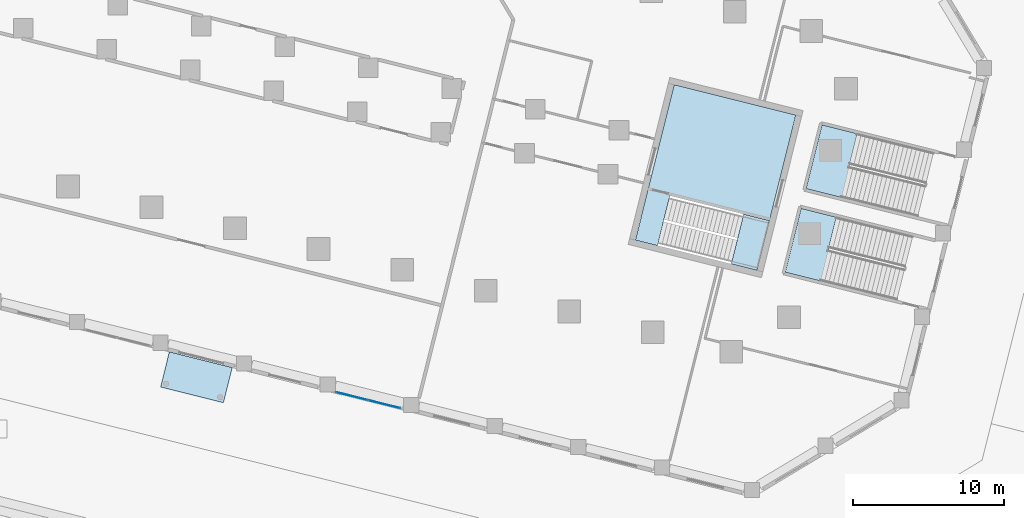
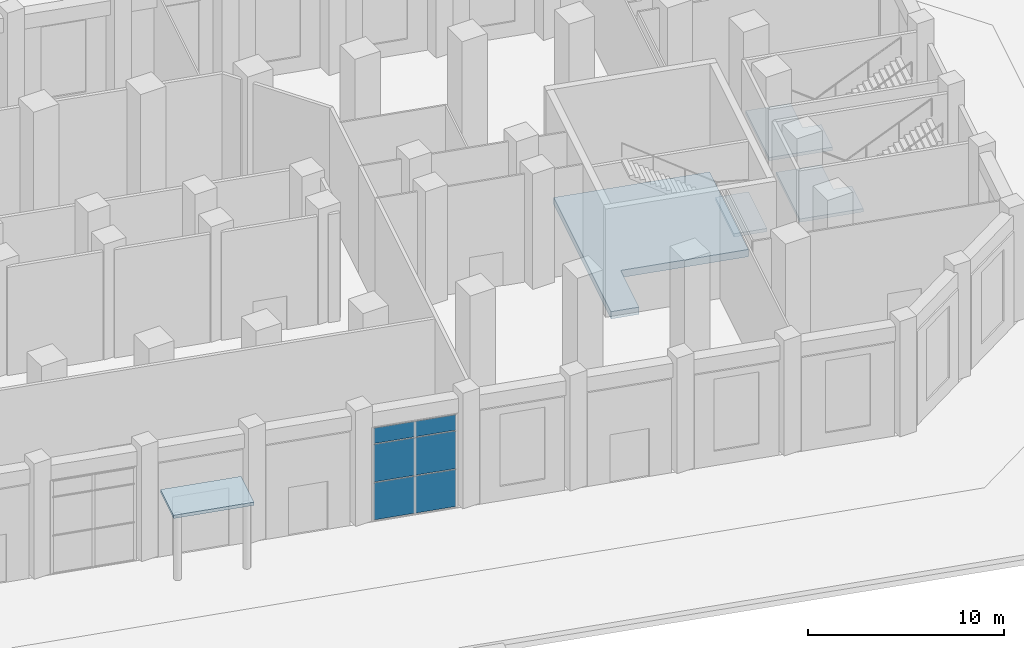
# One storey, part 9 of 27: 6 plates, 5 slabs, 4 elements without a shape of their own.
"""IFC4 building model written with IfcOpenShell, lengths in metres."""

from ifc_helpers import new_model, si_unit, direction, frame, origin, origin_2d, place, context, subcontext, project, spatial, polyline, rectangle, outline, extrude, material, layer, layer_set, type_object, element, aggregate, save


model = new_model("IFC4")

# Units and contexts
model_context = context("Model", 3, precision=1e-05, world=origin(), true_north=direction((0.0, 1.0)))
body_context = subcontext(model_context, "Body", "Model", "MODEL_VIEW")
ifc_project = project(units=[si_unit("LENGTHUNIT", "METRE"), si_unit("AREAUNIT", "SQUARE_METRE"), si_unit("VOLUMEUNIT", "CUBIC_METRE"), si_unit("PLANEANGLEUNIT", "RADIAN"), si_unit("MASSUNIT", "GRAM", prefix="KILO")], contexts=[model_context])

# Site, building, storey
site_placement = place(None, origin())
site = spatial("IfcSite", under=ifc_project, at=site_placement, CompositionType="ELEMENT")
building_placement = place(site_placement, origin())
building = spatial("IfcBuilding", under=site, at=building_placement, Name="Meshkara Civic Tower", CompositionType="ELEMENT")
storey_placement = place(building_placement, origin())
storey = spatial("IfcBuildingStorey", under=building, at=storey_placement, Name="L00", CompositionType="ELEMENT", Elevation=0.0)

# Curtain wall, plates
ifc_material_1 = material(Name="Tinted double glazing", Category="glass")
curtain_wall_type = type_object("IfcCurtainWallType", Name="CW SERVICE HALL FRONT", PredefinedType="NOTDEFINED", material=ifc_material_1)
curtain_wall_placement = place(storey_placement, origin())
curtain_wall = element("IfcCurtainWall", 1, at=curtain_wall_placement, inside=storey, type_object=curtain_wall_type, Name="Curtain wall CW1", PredefinedType="NOTDEFINED")
ifc_material_2 = material(Name="Tinted double glazing", Category="glass")
ifc_layer_1 = layer(ifc_material_2, 0.028076171875)
ifc_layer_set_1 = layer_set([ifc_layer_1], Name="CW PANEL IGU 28")
plate_type = type_object("IfcPlateType", Name="CW PANEL IGU 28", PredefinedType="CURTAIN_PANEL", material=ifc_layer_set_1)
plate_1_placement = place(storey_placement, frame((57.77392578125, -23.1337890625, 0.06005859375), z_axis=(0.0, 0.0, 1.0), x_axis=(0.970312718585, -0.241853732973, 0.0)))
plate_1 = element("IfcPlate", 2, at=plate_1_placement, type_object=plate_type, Name="CW1 panel 1.1", PredefinedType="CURTAIN_PANEL", context=body_context, shape_type="SweptSolid", body=[
    extrude(rectangle(XDim=2.153076171875, YDim=0.028076171875, at=origin_2d()), origin(), (0.0, 0.0, 1.0), 2.31005859375),
])
plate_2_placement = place(storey_placement, frame((57.77392578125, -23.1337890625, 2.43017578125), z_axis=(0.0, 0.0, 1.0), x_axis=(0.970312718585, -0.241853732973, 0.0)))
plate_2 = element("IfcPlate", 3, at=plate_2_placement, type_object=plate_type, Name="CW1 panel 1.2", PredefinedType="CURTAIN_PANEL", context=body_context, shape_type="SweptSolid", body=[
    extrude(rectangle(XDim=2.153076171875, YDim=0.028076171875, at=origin_2d()), origin(), (0.0, 0.0, 1.0), 2.340087890625),
])
plate_3_placement = place(storey_placement, frame((57.77392578125, -23.1337890625, 4.830078125), z_axis=(0.0, 0.0, 1.0), x_axis=(0.970312718585, -0.241853732973, 0.0)))
plate_3 = element("IfcPlate", 4, at=plate_3_placement, type_object=plate_type, Name="CW1 panel 1.3", PredefinedType="CURTAIN_PANEL", context=body_context, shape_type="SweptSolid", body=[
    extrude(rectangle(XDim=2.153076171875, YDim=0.028076171875, at=origin_2d()), origin(), (0.0, 0.0, 1.0), 0.9599609375),
])
plate_4_placement = place(storey_placement, frame((59.921142578125, -23.669189453125, 0.06005859375), z_axis=(0.0, 0.0, 1.0), x_axis=(0.970312718585, -0.241853732973, 0.0)))
plate_4 = element("IfcPlate", 5, at=plate_4_placement, type_object=plate_type, Name="CW1 panel 2.1", PredefinedType="CURTAIN_PANEL", context=body_context, shape_type="SweptSolid", body=[
    extrude(rectangle(XDim=2.153076171875, YDim=0.028076171875, at=origin_2d()), origin(), (0.0, 0.0, 1.0), 2.31005859375),
])
plate_5_placement = place(storey_placement, frame((59.921142578125, -23.669189453125, 2.43017578125), z_axis=(0.0, 0.0, 1.0), x_axis=(0.970312718585, -0.241853732973, 0.0)))
plate_5 = element("IfcPlate", 6, at=plate_5_placement, type_object=plate_type, Name="CW1 panel 2.2", PredefinedType="CURTAIN_PANEL", context=body_context, shape_type="SweptSolid", body=[
    extrude(rectangle(XDim=2.153076171875, YDim=0.028076171875, at=origin_2d()), origin(), (0.0, 0.0, 1.0), 2.340087890625),
])
plate_6_placement = place(storey_placement, frame((59.921142578125, -23.669189453125, 4.830078125), z_axis=(0.0, 0.0, 1.0), x_axis=(0.970312718585, -0.241853732973, 0.0)))
plate_6 = element("IfcPlate", 7, at=plate_6_placement, type_object=plate_type, Name="CW1 panel 2.3", PredefinedType="CURTAIN_PANEL", context=body_context, shape_type="SweptSolid", body=[
    extrude(rectangle(XDim=2.153076171875, YDim=0.028076171875, at=origin_2d()), origin(), (0.0, 0.0, 1.0), 0.9599609375),
])
aggregate(curtain_wall, [plate_1, plate_2, plate_3, plate_4, plate_5, plate_6])

# Slabs
ifc_material_3 = material(Name="Concrete C40/50", Category="concrete")
ifc_layer_2 = layer(ifc_material_3, 0.449951171875)
ifc_layer_set_2 = layer_set([ifc_layer_2], Name="Core floor slab 450 C40/50")
slab_type_1 = type_object("IfcSlabType", Name="Core floor slab 450 C40/50", PredefinedType="FLOOR", material=ifc_layer_set_2)
slab_1_placement = place(storey_placement, frame((0.0, 0.0, -0.449951171875)))
element("IfcSlab", 8, at=slab_1_placement, inside=storey, type_object=slab_type_1, Name="Core floor EB", PredefinedType="FLOOR", context=body_context, shape_type="SweptSolid", body=[
    extrude(outline(polyline([(79.11181640625, -2.513671875), (87.165283203125, -4.521484375), (85.423583984375, -11.507568359375), (78.826904296875, -9.863037109375), (78.00439453125, -13.161865234375), (76.547607421875, -12.798583984375), (79.11181640625, -2.513671875)])), origin(), (0.0, 0.0, 1.0), 0.449951171875),
])
ifc_material_4 = material(Name="Concrete C40", Category="concrete")
ifc_layer_3 = layer(ifc_material_4, 0.199951171875)
ifc_layer_set_3 = layer_set([ifc_layer_3], Name="ENTRANCE CANOPY")
slab_type_2 = type_object("IfcSlabType", Name="ENTRANCE CANOPY", PredefinedType="ROOF", material=ifc_layer_set_3)
slab_2_placement = place(storey_placement, frame((0.0, 0.0, 4.0)))
element("IfcSlab", 9, at=slab_2_placement, inside=storey, type_object=slab_type_2, Name="Entrance canopy", PredefinedType="ROOF", context=body_context, shape_type="SweptSolid", body=[
    extrude(outline(polyline([(45.68603515625, -20.202880859375), (49.846923828125, -21.239990234375), (49.26611328125, -23.569091796875), (45.10595703125, -22.531005859375), (45.68603515625, -20.202880859375)])), origin(), (0.0, 0.0, 1.0), 0.199951171875),
])

# Stair, slab
ifc_material_5 = material(Name="Precast concrete C40/50", Category="concrete")
stair_type_1 = type_object("IfcStairType", Name="Exit stair half-turn 38 risers 1500 precast", PredefinedType="HALF_TURN_STAIR", material=ifc_material_5)
stair_1_placement = place(storey_placement, origin())
stair_1 = element("IfcStair", 10, at=stair_1_placement, inside=storey, type_object=stair_type_1, Name="L00 exit stair B from B2", PredefinedType="HALF_TURN_STAIR")
ifc_material_6 = material(Name="Precast concrete C40/50", Category="concrete")
ifc_layer_4 = layer(ifc_material_6, 0.199951171875)
ifc_layer_set_4 = layer_set([ifc_layer_4], Name="Exit stair landing 200")
slab_type_3 = type_object("IfcSlabType", Name="Exit stair landing 200", PredefinedType="LANDING", material=ifc_layer_set_4)
slab_3_placement = place(storey_placement, frame((0.0, 0.0, 3.39990234375)))
slab_3 = element("IfcSlab", 11, at=slab_3_placement, type_object=slab_type_3, Name="ESB1 landing 1", PredefinedType="LANDING", context=body_context, shape_type="SweptSolid", body=[
    extrude(outline(polyline([(82.891357421875, -14.381591796875), (84.600830078125, -14.80810546875), (85.424072265625, -11.50830078125), (83.714599609375, -11.081787109375), (82.891357421875, -14.381591796875)])), origin(), (0.0, 0.0, 1.0), 0.2001953125),
])
aggregate(stair_1, [slab_3])

ifc_material_7 = material(Name="Precast concrete C40/50", Category="concrete")
stair_type_2 = type_object("IfcStairType", Name="Podium exit stair half-turn 38 risers 2100 wide precast", PredefinedType="HALF_TURN_STAIR", material=ifc_material_7)
stair_2_placement = place(storey_placement, origin())
stair_2 = element("IfcStair", 12, at=stair_2_placement, inside=storey, type_object=stair_type_2, Name="L00 podium exit stair PS3", PredefinedType="HALF_TURN_STAIR")
ifc_material_8 = material(Name="Precast concrete C40/50", Category="concrete")
ifc_layer_5 = layer(ifc_material_8, 0.199951171875)
ifc_layer_set_5 = layer_set([ifc_layer_5], Name="Podium stair landing 200")
slab_type_4 = type_object("IfcSlabType", Name="Podium stair landing 200", PredefinedType="LANDING", material=ifc_layer_set_5)
slab_4_placement = place(storey_placement, frame((0.0, 0.0, 3.39990234375)))
slab_4 = element("IfcSlab", 13, at=slab_4_placement, type_object=slab_type_4, Name="PS3 landing 1", PredefinedType="LANDING", context=body_context, shape_type="SweptSolid", body=[
    extrude(outline(polyline([(90.264404296875, -13.709228515625), (89.75634765625, -15.746826171875), (86.467041015625, -14.9267578125), (87.519287109375, -10.705810546875), (89.84814453125, -11.28662109375), (89.3037109375, -13.4697265625), (90.264404296875, -13.709228515625)])), origin(), (0.0, 0.0, 1.0), 0.2001953125),
])
aggregate(stair_2, [slab_4])

stair_3_placement = place(storey_placement, origin())
stair_3 = element("IfcStair", 14, at=stair_3_placement, inside=storey, type_object=stair_type_2, Name="L00 podium exit stair PS4", PredefinedType="HALF_TURN_STAIR")
slab_5_placement = place(storey_placement, frame((0.0, 0.0, 3.39990234375)))
slab_5 = element("IfcSlab", 15, at=slab_5_placement, type_object=slab_type_4, Name="PS4 landing 1", PredefinedType="LANDING", context=body_context, shape_type="SweptSolid", body=[
    extrude(outline(polyline([(91.643310546875, -8.17822265625), (91.135498046875, -10.2158203125), (87.84619140625, -9.395751953125), (88.8984375, -5.1748046875), (91.22705078125, -5.755615234375), (90.682861328125, -7.938720703125), (91.643310546875, -8.17822265625)])), origin(), (0.0, 0.0, 1.0), 0.2001953125),
])
aggregate(stair_3, [slab_5])

save(model, "model.ifc")
